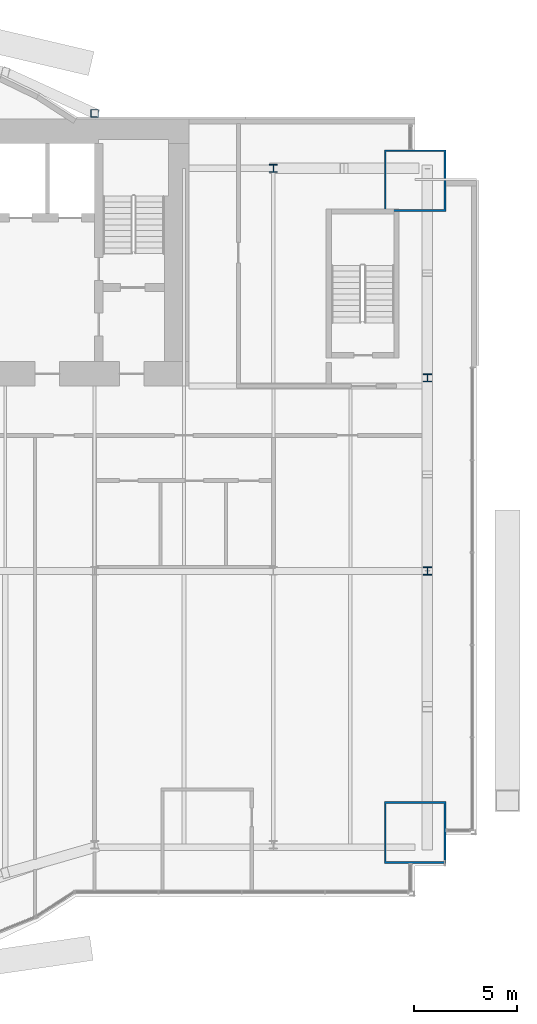
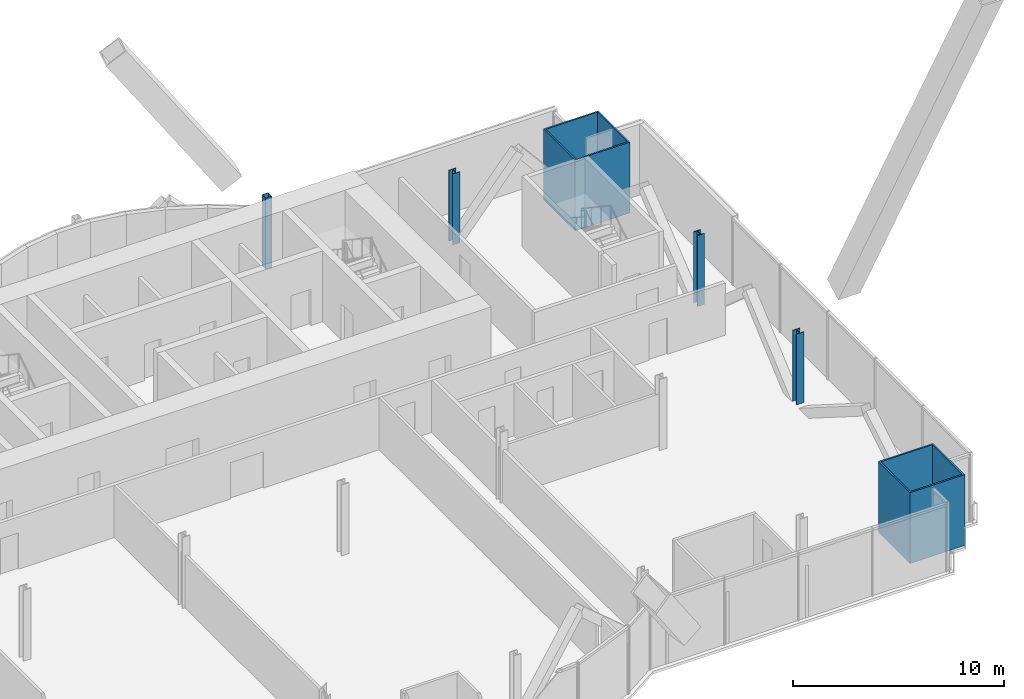
# One storey, part 3 of 23: 6 columns.
"""IFC4 building model written with IfcOpenShell, lengths in metres."""

from ifc_helpers import new_model, si_unit, direction, frame, origin, origin_2d, place, context, subcontext, project, spatial, hollow_rectangle, i_section, extrude, material, material_profile, profile_set, type_object, element, save


model = new_model("IFC4")

# Units and contexts
model_context = context("Model", 3, precision=1e-05, world=origin(), true_north=direction((0.0, 1.0)))
body_context = subcontext(model_context, "Body", "Model", "MODEL_VIEW")
ifc_project = project(units=[si_unit("LENGTHUNIT", "METRE"), si_unit("AREAUNIT", "SQUARE_METRE"), si_unit("VOLUMEUNIT", "CUBIC_METRE"), si_unit("PLANEANGLEUNIT", "RADIAN"), si_unit("MASSUNIT", "GRAM", prefix="KILO")], contexts=[model_context])

# Site, building, storey
site_placement = place(None, origin())
site = spatial("IfcSite", under=ifc_project, at=site_placement, CompositionType="ELEMENT")
building_placement = place(site_placement, origin())
building = spatial("IfcBuilding", under=site, at=building_placement, Name="Bicima Exchange Tower", CompositionType="ELEMENT")
storey_placement = place(building_placement, frame((0.0, 0.0, 110.39990234375)))
storey = spatial("IfcBuildingStorey", under=building, at=storey_placement, Name="L23", CompositionType="ELEMENT", Elevation=110.39990234375)

# Columns
ifc_material_1 = material(Name="Steel ASTM A572 Gr 50", Category="steel")
ifc_material_profile_1 = material_profile(ifc_material_1, hollow_rectangle(XDim=3.0, YDim=3.0, WallThickness=0.090087890625, at=origin_2d()))
ifc_profile_set_1 = profile_set([ifc_material_profile_1], Name="Steel ASTM A572 Gr 50")
column_type_1 = type_object("IfcColumnType", Name="Mega column BOX 3000x3000x90", PredefinedType="COLUMN", material=ifc_profile_set_1)
for number, where, z_axis, x_axis, name in (
    (1, (33.0, -34.72998046875, 0.0), (0.0, 0.0, 1.0), (1.0, 0.0, 0.0), "Mega column mega+33.0f"),
    (2, (33.0, -3.0, 0.0), (0.0, 0.0, 1.0), (1.0, 0.0, 0.0), "Mega column mega+33.0r"),
):
    element("IfcColumn", number, at=place(storey_placement, frame(where, z_axis=z_axis, x_axis=x_axis)), inside=storey, type_object=column_type_1, Name=name, PredefinedType="COLUMN", context=body_context, shape_type="SweptSolid", body=[
        extrude(hollow_rectangle(XDim=3.0, YDim=3.0, WallThickness=0.090087890625, at=origin_2d()), origin(), (0.0, 0.0, 1.0), 4.10009765625),
    ])
ifc_material_2 = material(Name="Steel ASTM A992 Gr 50", Category="steel")
ifc_material_profile_2 = material_profile(ifc_material_2, i_section(OverallWidth=0.398681640625, OverallDepth=0.393798828125, WebThickness=0.022705078125, FlangeThickness=0.03662109375, at=origin_2d()))
ifc_profile_set_2 = profile_set([ifc_material_profile_2], Name="Steel ASTM A992 Gr 50")
column_type_2 = type_object("IfcColumnType", Name="Perimeter column W14x193", PredefinedType="COLUMN", material=ifc_profile_set_2)
for number, where, z_axis, x_axis, name in (
    (3, (26.10009765625, -2.39990234375, 0.0), (0.0, 0.0, 1.0), (1.0, 0.0, 0.0), "Perimeter column grav+26.1r"),
    (4, (33.60009765625, -12.60009765625, 0.0), (0.0, 0.0, 1.0), (1.0, 0.0, 0.0), "End column end+33.6e"),
    (5, (33.60009765625, -22.0, 0.0), (0.0, 0.0, 1.0), (1.0, 0.0, 0.0), "End column end+33.6e"),
):
    element("IfcColumn", number, at=place(storey_placement, frame(where, z_axis=z_axis, x_axis=x_axis)), inside=storey, type_object=column_type_2, Name=name, PredefinedType="COLUMN", context=body_context, shape_type="SweptSolid", body=[
        extrude(i_section(OverallWidth=0.398681640625, OverallDepth=0.393798828125, WebThickness=0.022705078125, FlangeThickness=0.03662109375, at=origin_2d()), origin(), (0.0, 0.0, 1.0), 4.10009765625),
    ])
ifc_material_profile_3 = material_profile(ifc_material_1, hollow_rectangle(XDim=0.355712890625, YDim=0.355712890625, WallThickness=0.01171875, at=origin_2d()))
ifc_profile_set_3 = profile_set([ifc_material_profile_3], Name="Steel ASTM A572 Gr 50")
column_type_3 = type_object("IfcColumnType", Name="Rear pilaster HSS14x14x1/2", PredefinedType="COLUMN", material=ifc_profile_set_3)
column_placement = place(storey_placement, frame((17.39990234375, 0.278076171875, 0.0), z_axis=(0.0, 0.0, 1.0), x_axis=(1.0, 0.0, 0.0)))
element("IfcColumn", 6, at=column_placement, inside=storey, type_object=column_type_3, Name="Rear pilaster rexo+17.4r", PredefinedType="COLUMN", context=body_context, shape_type="SweptSolid", body=[
    extrude(hollow_rectangle(XDim=0.355712890625, YDim=0.355712890625, WallThickness=0.01171875, at=origin_2d()), origin(), (0.0, 0.0, 1.0), 4.10009765625),
])

save(model, "model.ifc")
